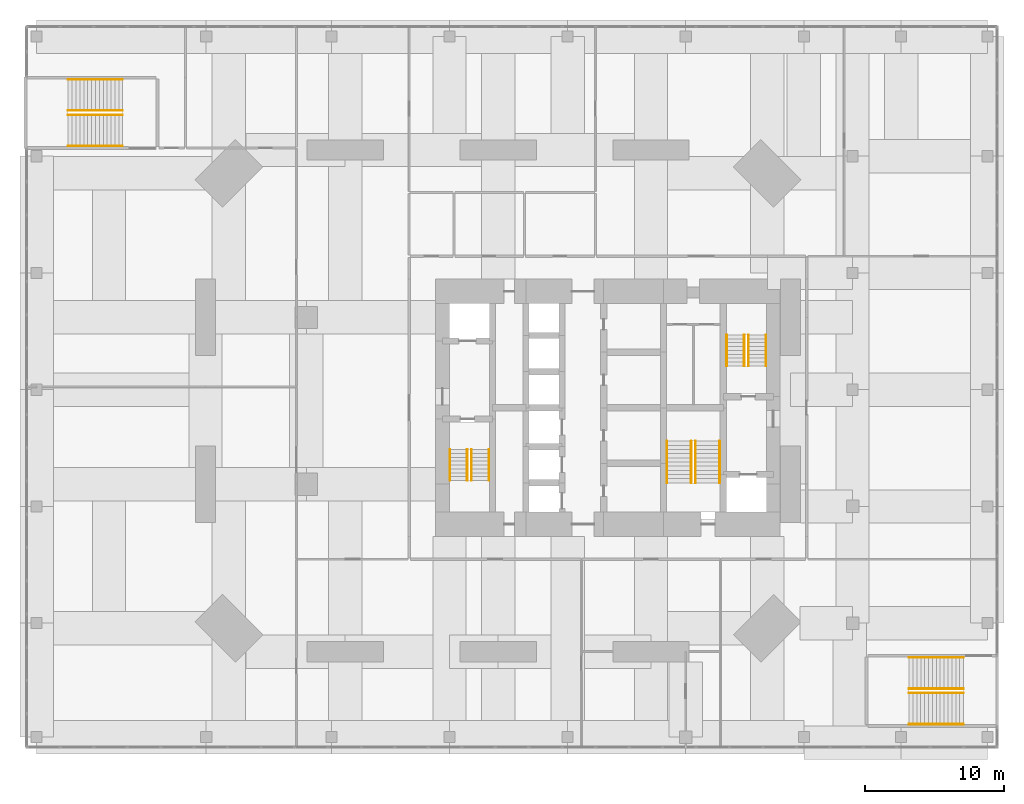
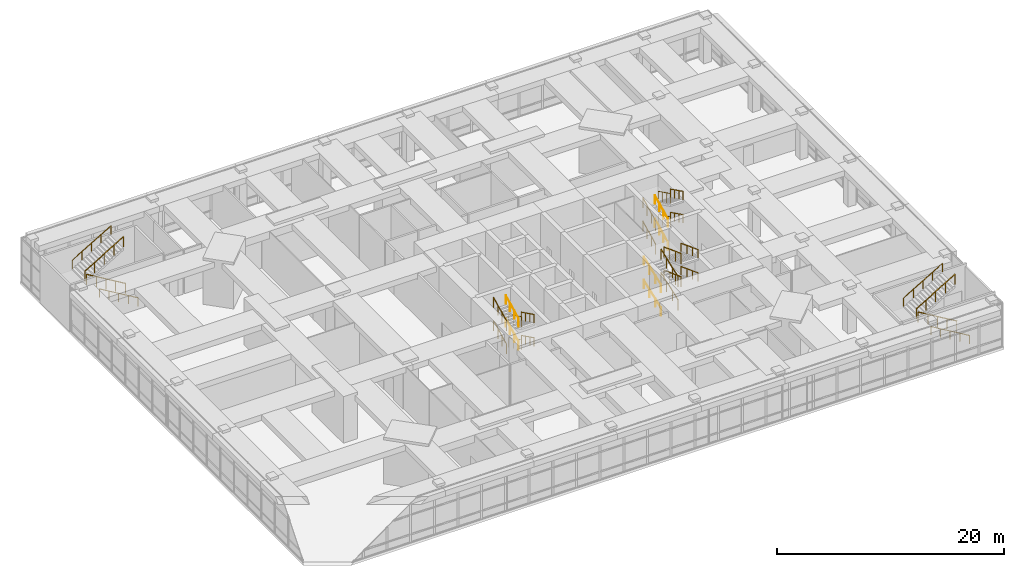
# One storey, part 22 of 22: 32 railings.
"""IFC4 building model written with IfcOpenShell, lengths in metres."""

from ifc_helpers import new_model, si_unit, direction, frame, origin, origin_2d, place, context, subcontext, project, spatial, rectangle, circle, extrude, material, constituent, constituent_set, type_object, element, save


model = new_model("IFC4")

# Units and contexts
model_context = context("Model", 3, precision=1e-05, world=origin(), true_north=direction((0.0, 1.0)))
body_context = subcontext(model_context, "Body", "Model", "MODEL_VIEW")
ifc_project = project(units=[si_unit("LENGTHUNIT", "METRE"), si_unit("AREAUNIT", "SQUARE_METRE"), si_unit("VOLUMEUNIT", "CUBIC_METRE"), si_unit("PLANEANGLEUNIT", "RADIAN"), si_unit("MASSUNIT", "GRAM", prefix="KILO")], contexts=[model_context])

# Site, building, storey
site_placement = place(None, origin())
site = spatial("IfcSite", under=ifc_project, at=site_placement, CompositionType="ELEMENT")
building_placement = place(site_placement, origin())
building = spatial("IfcBuilding", under=site, at=building_placement, Name="Jalousie Tower", CompositionType="ELEMENT")
storey_placement = place(building_placement, frame((0.0, 0.0, 6.0)))
storey = spatial("IfcBuildingStorey", under=building, at=storey_placement, Name="L01", CompositionType="ELEMENT", Elevation=6.0)

# Railings
ifc_material_1 = material(Name="Steel ASTM A500 Grade C", Category="steel")
ifc_constituent_1 = constituent(ifc_material_1, Name="Body")
ifc_material_2 = material(Name="Hot-dip galvanised zinc coating")
ifc_constituent_2 = constituent(ifc_material_2, Name="Finish")
ifc_constituent_set_1 = constituent_set(constituents=[ifc_constituent_1, ifc_constituent_2])
railing_type_1 = type_object("IfcRailingType", Name="STAIR GUARD 1100", PredefinedType="GUARDRAIL", material=ifc_constituent_set_1)
railing_1_placement = place(storey_placement, frame((22.092529296875, 15.49755859375, 0.138916015625)))
element("IfcRailing", 1, at=railing_1_placement, inside=storey, type_object=railing_type_1, Name="Exit stair A guard L01 flight 1", PredefinedType="GUARDRAIL", context=body_context, shape_type="SweptSolid", body=[
    extrude(rectangle(XDim=0.048095703125, YDim=0.048095703125, at=origin_2d()), frame((0.0, 0.0, 1.076171875), z_axis=(0.0, -0.895848192791, 0.444360231651), x_axis=(1.0, 0.0, 0.0)), (0.0, 0.0, 1.0), 2.50048828125),
    extrude(circle(Radius=0.02099609375, at=origin_2d()), origin(), (0.0, 0.0, 1.0), 1.052001953125),
    extrude(circle(Radius=0.02099609375, at=origin_2d()), frame((0.0, -0.74658203125, 0.370361328125)), (0.0, 0.0, 1.0), 1.052001953125),
    extrude(circle(Radius=0.02099609375, at=origin_2d()), frame((0.0, -1.493408203125, 0.74072265625)), (0.0, 0.0, 1.0), 1.052001953125),
    extrude(circle(Radius=0.02099609375, at=origin_2d()), frame((0.0, -2.239990234375, 1.111083984375)), (0.0, 0.0, 1.0), 1.052001953125),
])
railing_2_placement = place(storey_placement, frame((20.52978515625, 13.257568359375, 1.388916015625)))
element("IfcRailing", 2, at=railing_2_placement, inside=storey, type_object=railing_type_1, Name="Exit stair A guard L01 flight 2", PredefinedType="GUARDRAIL", context=body_context, shape_type="SweptSolid", body=[
    extrude(rectangle(XDim=0.048095703125, YDim=0.048095703125, at=origin_2d()), frame((0.0, 0.0, 1.076171875), z_axis=(0.0, 0.895848192791, 0.444360231651), x_axis=(-1.0, 0.0, 0.0)), (0.0, 0.0, 1.0), 2.50048828125),
    extrude(circle(Radius=0.02099609375, at=origin_2d()), origin(), (0.0, 0.0, 1.0), 1.052001953125),
    extrude(circle(Radius=0.02099609375, at=origin_2d()), frame((0.0, 0.74658203125, 0.370361328125)), (0.0, 0.0, 1.0), 1.052001953125),
    extrude(circle(Radius=0.02099609375, at=origin_2d()), frame((0.0, 1.493408203125, 0.74072265625)), (0.0, 0.0, 1.0), 1.052001953125),
    extrude(circle(Radius=0.02099609375, at=origin_2d()), frame((0.0, 2.239990234375, 1.111083984375)), (0.0, 0.0, 1.0), 1.052001953125),
])
railing_3_placement = place(storey_placement, frame((22.092529296875, 15.49755859375, 2.638916015625)))
element("IfcRailing", 3, at=railing_3_placement, inside=storey, type_object=railing_type_1, Name="Exit stair A guard L01 flight 3", PredefinedType="GUARDRAIL", context=body_context, shape_type="SweptSolid", body=[
    extrude(rectangle(XDim=0.048095703125, YDim=0.048095703125, at=origin_2d()), frame((0.0, 0.0, 1.076171875), z_axis=(0.0, -0.895848192791, 0.444360231651), x_axis=(1.0, 0.0, 0.0)), (0.0, 0.0, 1.0), 2.50048828125),
    extrude(circle(Radius=0.02099609375, at=origin_2d()), origin(), (0.0, 0.0, 1.0), 1.052001953125),
    extrude(circle(Radius=0.02099609375, at=origin_2d()), frame((0.0, -0.74658203125, 0.370361328125)), (0.0, 0.0, 1.0), 1.052001953125),
    extrude(circle(Radius=0.02099609375, at=origin_2d()), frame((0.0, -1.493408203125, 0.74072265625)), (0.0, 0.0, 1.0), 1.052001953125),
    extrude(circle(Radius=0.02099609375, at=origin_2d()), frame((0.0, -2.239990234375, 1.111083984375)), (0.0, 0.0, 1.0), 1.052001953125),
])
for number, where, name in (
    (4, (20.52978515625, 13.257568359375, 3.888916015625), "Exit stair A guard L01 flight 4"),
    (5, (40.455078125, 21.50244140625, 0.138916015625), "Exit stair B guard L01 flight 1"),
):
    element("IfcRailing", number, at=place(storey_placement, frame(where)), inside=storey, type_object=railing_type_1, Name=name, PredefinedType="GUARDRAIL", context=body_context, shape_type="SweptSolid", body=[
        extrude(rectangle(XDim=0.048095703125, YDim=0.048095703125, at=origin_2d()), frame((0.0, 0.0, 1.076171875), z_axis=(0.0, 0.895848192791, 0.444360231651), x_axis=(-1.0, 0.0, 0.0)), (0.0, 0.0, 1.0), 2.50048828125),
        extrude(circle(Radius=0.02099609375, at=origin_2d()), origin(), (0.0, 0.0, 1.0), 1.052001953125),
        extrude(circle(Radius=0.02099609375, at=origin_2d()), frame((0.0, 0.74658203125, 0.370361328125)), (0.0, 0.0, 1.0), 1.052001953125),
        extrude(circle(Radius=0.02099609375, at=origin_2d()), frame((0.0, 1.493408203125, 0.74072265625)), (0.0, 0.0, 1.0), 1.052001953125),
        extrude(circle(Radius=0.02099609375, at=origin_2d()), frame((0.0, 2.239990234375, 1.111083984375)), (0.0, 0.0, 1.0), 1.052001953125),
    ])
railing_4_placement = place(storey_placement, frame((42.017578125, 23.742431640625, 1.388916015625)))
element("IfcRailing", 6, at=railing_4_placement, inside=storey, type_object=railing_type_1, Name="Exit stair B guard L01 flight 2", PredefinedType="GUARDRAIL", context=body_context, shape_type="SweptSolid", body=[
    extrude(rectangle(XDim=0.048095703125, YDim=0.048095703125, at=origin_2d()), frame((0.0, 0.0, 1.076171875), z_axis=(0.0, -0.895848192791, 0.444360231651), x_axis=(1.0, 0.0, 0.0)), (0.0, 0.0, 1.0), 2.50048828125),
    extrude(circle(Radius=0.02099609375, at=origin_2d()), origin(), (0.0, 0.0, 1.0), 1.052001953125),
    extrude(circle(Radius=0.02099609375, at=origin_2d()), frame((0.0, -0.74658203125, 0.370361328125)), (0.0, 0.0, 1.0), 1.052001953125),
    extrude(circle(Radius=0.02099609375, at=origin_2d()), frame((0.0, -1.493408203125, 0.74072265625)), (0.0, 0.0, 1.0), 1.052001953125),
    extrude(circle(Radius=0.02099609375, at=origin_2d()), frame((0.0, -2.239990234375, 1.111083984375)), (0.0, 0.0, 1.0), 1.052001953125),
])
railing_5_placement = place(storey_placement, frame((40.455078125, 21.50244140625, 2.638916015625)))
element("IfcRailing", 7, at=railing_5_placement, inside=storey, type_object=railing_type_1, Name="Exit stair B guard L01 flight 3", PredefinedType="GUARDRAIL", context=body_context, shape_type="SweptSolid", body=[
    extrude(rectangle(XDim=0.048095703125, YDim=0.048095703125, at=origin_2d()), frame((0.0, 0.0, 1.076171875), z_axis=(0.0, 0.895848192791, 0.444360231651), x_axis=(-1.0, 0.0, 0.0)), (0.0, 0.0, 1.0), 2.50048828125),
    extrude(circle(Radius=0.02099609375, at=origin_2d()), origin(), (0.0, 0.0, 1.0), 1.052001953125),
    extrude(circle(Radius=0.02099609375, at=origin_2d()), frame((0.0, 0.74658203125, 0.370361328125)), (0.0, 0.0, 1.0), 1.052001953125),
    extrude(circle(Radius=0.02099609375, at=origin_2d()), frame((0.0, 1.493408203125, 0.74072265625)), (0.0, 0.0, 1.0), 1.052001953125),
    extrude(circle(Radius=0.02099609375, at=origin_2d()), frame((0.0, 2.239990234375, 1.111083984375)), (0.0, 0.0, 1.0), 1.052001953125),
])
railing_6_placement = place(storey_placement, frame((42.017578125, 23.742431640625, 3.888916015625)))
element("IfcRailing", 8, at=railing_6_placement, inside=storey, type_object=railing_type_1, Name="Exit stair B guard L01 flight 4", PredefinedType="GUARDRAIL", context=body_context, shape_type="SweptSolid", body=[
    extrude(rectangle(XDim=0.048095703125, YDim=0.048095703125, at=origin_2d()), frame((0.0, 0.0, 1.076171875), z_axis=(0.0, -0.895848192791, 0.444360231651), x_axis=(1.0, 0.0, 0.0)), (0.0, 0.0, 1.0), 2.50048828125),
    extrude(circle(Radius=0.02099609375, at=origin_2d()), origin(), (0.0, 0.0, 1.0), 1.052001953125),
    extrude(circle(Radius=0.02099609375, at=origin_2d()), frame((0.0, -0.74658203125, 0.370361328125)), (0.0, 0.0, 1.0), 1.052001953125),
    extrude(circle(Radius=0.02099609375, at=origin_2d()), frame((0.0, -1.493408203125, 0.74072265625)), (0.0, 0.0, 1.0), 1.052001953125),
    extrude(circle(Radius=0.02099609375, at=origin_2d()), frame((0.0, -2.239990234375, 1.111083984375)), (0.0, 0.0, 1.0), 1.052001953125),
])
railing_7_placement = place(storey_placement, frame((37.89501953125, 13.097412109375, 0.113525390625)))
element("IfcRailing", 9, at=railing_7_placement, inside=storey, type_object=railing_type_1, Name="Exit stair C guard L01 flight 1", PredefinedType="GUARDRAIL", context=body_context, shape_type="SweptSolid", body=[
    extrude(rectangle(XDim=0.048095703125, YDim=0.048095703125, at=origin_2d()), frame((0.0, 0.0, 1.076171875), z_axis=(0.0, 0.935147985876, 0.354257313985), x_axis=(-1.0, 0.0, 0.0)), (0.0, 0.0, 1.0), 3.2080078125),
    extrude(circle(Radius=0.02099609375, at=origin_2d()), origin(), (0.0, 0.0, 1.0), 1.052001953125),
    extrude(circle(Radius=0.02099609375, at=origin_2d()), frame((0.0, 1.0, 0.37890625)), (0.0, 0.0, 1.0), 1.052001953125),
    extrude(circle(Radius=0.02099609375, at=origin_2d()), frame((0.0, 2.0, 0.757568359375)), (0.0, 0.0, 1.0), 1.052001953125),
    extrude(circle(Radius=0.02099609375, at=origin_2d()), frame((0.0, 3.0, 1.136474609375)), (0.0, 0.0, 1.0), 1.052001953125),
])
railing_8_placement = place(storey_placement, frame((38.205078125, 16.097412109375, 1.363525390625)))
element("IfcRailing", 10, at=railing_8_placement, inside=storey, type_object=railing_type_1, Name="Exit stair C guard L01 flight 2", PredefinedType="GUARDRAIL", context=body_context, shape_type="SweptSolid", body=[
    extrude(rectangle(XDim=0.048095703125, YDim=0.048095703125, at=origin_2d()), frame((0.0, 0.0, 1.076171875), z_axis=(0.0, -0.935147985876, 0.354257313985), x_axis=(1.0, 0.0, 0.0)), (0.0, 0.0, 1.0), 3.2080078125),
    extrude(circle(Radius=0.02099609375, at=origin_2d()), origin(), (0.0, 0.0, 1.0), 1.052001953125),
    extrude(circle(Radius=0.02099609375, at=origin_2d()), frame((0.0, -1.0, 0.37890625)), (0.0, 0.0, 1.0), 1.052001953125),
    extrude(circle(Radius=0.02099609375, at=origin_2d()), frame((0.0, -2.0, 0.757568359375)), (0.0, 0.0, 1.0), 1.052001953125),
    extrude(circle(Radius=0.02099609375, at=origin_2d()), frame((0.0, -3.0, 1.136474609375)), (0.0, 0.0, 1.0), 1.052001953125),
])
railing_9_placement = place(storey_placement, frame((37.89501953125, 13.097412109375, 2.613525390625)))
element("IfcRailing", 11, at=railing_9_placement, inside=storey, type_object=railing_type_1, Name="Exit stair C guard L01 flight 3", PredefinedType="GUARDRAIL", context=body_context, shape_type="SweptSolid", body=[
    extrude(rectangle(XDim=0.048095703125, YDim=0.048095703125, at=origin_2d()), frame((0.0, 0.0, 1.076171875), z_axis=(0.0, 0.935147985876, 0.354257313985), x_axis=(-1.0, 0.0, 0.0)), (0.0, 0.0, 1.0), 3.2080078125),
    extrude(circle(Radius=0.02099609375, at=origin_2d()), origin(), (0.0, 0.0, 1.0), 1.052001953125),
    extrude(circle(Radius=0.02099609375, at=origin_2d()), frame((0.0, 1.0, 0.37890625)), (0.0, 0.0, 1.0), 1.052001953125),
    extrude(circle(Radius=0.02099609375, at=origin_2d()), frame((0.0, 2.0, 0.757568359375)), (0.0, 0.0, 1.0), 1.052001953125),
    extrude(circle(Radius=0.02099609375, at=origin_2d()), frame((0.0, 3.0, 1.136474609375)), (0.0, 0.0, 1.0), 1.052001953125),
])
railing_10_placement = place(storey_placement, frame((38.205078125, 16.097412109375, 3.863525390625)))
element("IfcRailing", 12, at=railing_10_placement, inside=storey, type_object=railing_type_1, Name="Exit stair C guard L01 flight 4", PredefinedType="GUARDRAIL", context=body_context, shape_type="SweptSolid", body=[
    extrude(rectangle(XDim=0.048095703125, YDim=0.048095703125, at=origin_2d()), frame((0.0, 0.0, 1.076171875), z_axis=(0.0, -0.935147985876, 0.354257313985), x_axis=(1.0, 0.0, 0.0)), (0.0, 0.0, 1.0), 3.2080078125),
    extrude(circle(Radius=0.02099609375, at=origin_2d()), origin(), (0.0, 0.0, 1.0), 1.052001953125),
    extrude(circle(Radius=0.02099609375, at=origin_2d()), frame((0.0, -1.0, 0.37890625)), (0.0, 0.0, 1.0), 1.052001953125),
    extrude(circle(Radius=0.02099609375, at=origin_2d()), frame((0.0, -2.0, 0.757568359375)), (0.0, 0.0, 1.0), 1.052001953125),
    extrude(circle(Radius=0.02099609375, at=origin_2d()), frame((0.0, -3.0, 1.136474609375)), (0.0, 0.0, 1.0), 1.052001953125),
])
railing_11_placement = place(storey_placement, frame((-3.010009765625, 39.570068359375, 0.166748046875)))
element("IfcRailing", 13, at=railing_11_placement, inside=storey, type_object=railing_type_1, Name="Exit stair PS1 guard L01 flight 1", PredefinedType="GUARDRAIL", context=body_context, shape_type="SweptSolid", body=[
    extrude(rectangle(XDim=0.048095703125, YDim=0.048095703125, at=origin_2d()), frame((0.0, 0.0, 1.076171875), z_axis=(-0.859296244711, 0.0, 0.511478214419), x_axis=(0.0, -1.0, 0.0)), (0.0, 0.0, 1.0), 4.561767578125),
    extrude(circle(Radius=0.02099609375, at=origin_2d()), origin(), (0.0, 0.0, 1.0), 1.052001953125),
    extrude(circle(Radius=0.02099609375, at=origin_2d()), frame((-0.97998046875, 0.0, 0.583251953125)), (0.0, 0.0, 1.0), 1.052001953125),
    extrude(circle(Radius=0.02099609375, at=origin_2d()), frame((-1.9599609375, 0.0, 1.16650390625)), (0.0, 0.0, 1.0), 1.052001953125),
    extrude(circle(Radius=0.02099609375, at=origin_2d()), frame((-2.93994140625, 0.0, 1.75)), (0.0, 0.0, 1.0), 1.052001953125),
    extrude(circle(Radius=0.02099609375, at=origin_2d()), frame((-3.919921875, 0.0, 2.333251953125)), (0.0, 0.0, 1.0), 1.052001953125),
])
railing_12_placement = place(storey_placement, frame((-6.929931640625, 39.8798828125, 2.666748046875)))
element("IfcRailing", 14, at=railing_12_placement, inside=storey, type_object=railing_type_1, Name="Exit stair PS1 guard L01 flight 2", PredefinedType="GUARDRAIL", context=body_context, shape_type="SweptSolid", body=[
    extrude(rectangle(XDim=0.048095703125, YDim=0.048095703125, at=origin_2d()), frame((0.0, 0.0, 1.076171875), z_axis=(0.859296244711, 0.0, 0.511478214419), x_axis=(0.0, 1.0, 0.0)), (0.0, 0.0, 1.0), 4.561767578125),
    extrude(circle(Radius=0.02099609375, at=origin_2d()), origin(), (0.0, 0.0, 1.0), 1.052001953125),
    extrude(circle(Radius=0.02099609375, at=origin_2d()), frame((0.97998046875, 0.0, 0.583251953125)), (0.0, 0.0, 1.0), 1.052001953125),
    extrude(circle(Radius=0.02099609375, at=origin_2d()), frame((1.9599609375, 0.0, 1.16650390625)), (0.0, 0.0, 1.0), 1.052001953125),
    extrude(circle(Radius=0.02099609375, at=origin_2d()), frame((2.93994140625, 0.0, 1.75)), (0.0, 0.0, 1.0), 1.052001953125),
    extrude(circle(Radius=0.02099609375, at=origin_2d()), frame((3.919921875, 0.0, 2.333251953125)), (0.0, 0.0, 1.0), 1.052001953125),
])
railing_13_placement = place(storey_placement, frame((57.489990234375, -2.030029296875, 0.166748046875)))
element("IfcRailing", 15, at=railing_13_placement, inside=storey, type_object=railing_type_1, Name="Exit stair PS2 guard L01 flight 1", PredefinedType="GUARDRAIL", context=body_context, shape_type="SweptSolid", body=[
    extrude(rectangle(XDim=0.048095703125, YDim=0.048095703125, at=origin_2d()), frame((0.0, 0.0, 1.076171875), z_axis=(-0.859296244711, 0.0, 0.511478214419), x_axis=(0.0, -1.0, 0.0)), (0.0, 0.0, 1.0), 4.561767578125),
    extrude(circle(Radius=0.02099609375, at=origin_2d()), origin(), (0.0, 0.0, 1.0), 1.052001953125),
    extrude(circle(Radius=0.02099609375, at=origin_2d()), frame((-0.97998046875, 0.0, 0.583251953125)), (0.0, 0.0, 1.0), 1.052001953125),
    extrude(circle(Radius=0.02099609375, at=origin_2d()), frame((-1.9599609375, 0.0, 1.16650390625)), (0.0, 0.0, 1.0), 1.052001953125),
    extrude(circle(Radius=0.02099609375, at=origin_2d()), frame((-2.93994140625, 0.0, 1.75)), (0.0, 0.0, 1.0), 1.052001953125),
    extrude(circle(Radius=0.02099609375, at=origin_2d()), frame((-3.919921875, 0.0, 2.333251953125)), (0.0, 0.0, 1.0), 1.052001953125),
])
railing_14_placement = place(storey_placement, frame((53.570068359375, -1.719970703125, 2.666748046875)))
element("IfcRailing", 16, at=railing_14_placement, inside=storey, type_object=railing_type_1, Name="Exit stair PS2 guard L01 flight 2", PredefinedType="GUARDRAIL", context=body_context, shape_type="SweptSolid", body=[
    extrude(rectangle(XDim=0.048095703125, YDim=0.048095703125, at=origin_2d()), frame((0.0, 0.0, 1.076171875), z_axis=(0.859296244711, 0.0, 0.511478214419), x_axis=(0.0, 1.0, 0.0)), (0.0, 0.0, 1.0), 4.561767578125),
    extrude(circle(Radius=0.02099609375, at=origin_2d()), origin(), (0.0, 0.0, 1.0), 1.052001953125),
    extrude(circle(Radius=0.02099609375, at=origin_2d()), frame((0.97998046875, 0.0, 0.583251953125)), (0.0, 0.0, 1.0), 1.052001953125),
    extrude(circle(Radius=0.02099609375, at=origin_2d()), frame((1.9599609375, 0.0, 1.16650390625)), (0.0, 0.0, 1.0), 1.052001953125),
    extrude(circle(Radius=0.02099609375, at=origin_2d()), frame((2.93994140625, 0.0, 1.75)), (0.0, 0.0, 1.0), 1.052001953125),
    extrude(circle(Radius=0.02099609375, at=origin_2d()), frame((3.919921875, 0.0, 2.333251953125)), (0.0, 0.0, 1.0), 1.052001953125),
])
ifc_material_3 = material(Name="Steel ASTM A500 Grade C", Category="steel")
ifc_constituent_3 = constituent(ifc_material_3, Name="Body")
ifc_material_4 = material(Name="Hot-dip galvanised zinc coating")
ifc_constituent_4 = constituent(ifc_material_4, Name="Finish")
ifc_constituent_set_2 = constituent_set(constituents=[ifc_constituent_3, ifc_constituent_4])
railing_type_2 = type_object("IfcRailingType", Name="STAIR HANDRAIL 900", PredefinedType="HANDRAIL", material=ifc_constituent_set_2)
railing_15_placement = place(storey_placement, frame((23.34521484375, 15.49755859375, 0.138916015625)))
element("IfcRailing", 17, at=railing_15_placement, inside=storey, type_object=railing_type_2, Name="Exit stair A handrail L01 flight 1", PredefinedType="HANDRAIL", context=body_context, shape_type="SweptSolid", body=[
    extrude(circle(Radius=0.02392578125, at=origin_2d()), frame((0.0, 0.0, 0.8759765625), z_axis=(0.0, -0.895848192791, 0.444360231651), x_axis=(1.0, 0.0, 0.0)), (0.0, 0.0, 1.0), 2.50048828125),
    extrude(circle(Radius=0.02099609375, at=origin_2d()), origin(), (0.0, 0.0, 1.0), 0.851806640625),
    extrude(circle(Radius=0.02099609375, at=origin_2d()), frame((0.0, -0.74658203125, 0.370361328125)), (0.0, 0.0, 1.0), 0.851806640625),
    extrude(circle(Radius=0.02099609375, at=origin_2d()), frame((0.0, -1.493408203125, 0.74072265625)), (0.0, 0.0, 1.0), 0.851806640625),
    extrude(circle(Radius=0.02099609375, at=origin_2d()), frame((0.0, -2.239990234375, 1.111083984375)), (0.0, 0.0, 1.0), 0.851806640625),
])
railing_16_placement = place(storey_placement, frame((21.782470703125, 13.257568359375, 1.388916015625)))
element("IfcRailing", 18, at=railing_16_placement, inside=storey, type_object=railing_type_2, Name="Exit stair A handrail L01 flight 2", PredefinedType="HANDRAIL", context=body_context, shape_type="SweptSolid", body=[
    extrude(circle(Radius=0.02392578125, at=origin_2d()), frame((0.0, 0.0, 0.8759765625), z_axis=(0.0, 0.895848192791, 0.444360231651), x_axis=(-1.0, 0.0, 0.0)), (0.0, 0.0, 1.0), 2.50048828125),
    extrude(circle(Radius=0.02099609375, at=origin_2d()), origin(), (0.0, 0.0, 1.0), 0.851806640625),
    extrude(circle(Radius=0.02099609375, at=origin_2d()), frame((0.0, 0.74658203125, 0.370361328125)), (0.0, 0.0, 1.0), 0.851806640625),
    extrude(circle(Radius=0.02099609375, at=origin_2d()), frame((0.0, 1.493408203125, 0.74072265625)), (0.0, 0.0, 1.0), 0.851806640625),
    extrude(circle(Radius=0.02099609375, at=origin_2d()), frame((0.0, 2.239990234375, 1.111083984375)), (0.0, 0.0, 1.0), 0.851806640625),
])
railing_17_placement = place(storey_placement, frame((23.34521484375, 15.49755859375, 2.638916015625)))
element("IfcRailing", 19, at=railing_17_placement, inside=storey, type_object=railing_type_2, Name="Exit stair A handrail L01 flight 3", PredefinedType="HANDRAIL", context=body_context, shape_type="SweptSolid", body=[
    extrude(circle(Radius=0.02392578125, at=origin_2d()), frame((0.0, 0.0, 0.8759765625), z_axis=(0.0, -0.895848192791, 0.444360231651), x_axis=(1.0, 0.0, 0.0)), (0.0, 0.0, 1.0), 2.50048828125),
    extrude(circle(Radius=0.02099609375, at=origin_2d()), origin(), (0.0, 0.0, 1.0), 0.851806640625),
    extrude(circle(Radius=0.02099609375, at=origin_2d()), frame((0.0, -0.74658203125, 0.370361328125)), (0.0, 0.0, 1.0), 0.851806640625),
    extrude(circle(Radius=0.02099609375, at=origin_2d()), frame((0.0, -1.493408203125, 0.74072265625)), (0.0, 0.0, 1.0), 0.851806640625),
    extrude(circle(Radius=0.02099609375, at=origin_2d()), frame((0.0, -2.239990234375, 1.111083984375)), (0.0, 0.0, 1.0), 0.851806640625),
])
for number, where, name in (
    (20, (21.782470703125, 13.257568359375, 3.888916015625), "Exit stair A handrail L01 flight 4"),
    (21, (41.70751953125, 21.50244140625, 0.138916015625), "Exit stair B handrail L01 flight 1"),
):
    element("IfcRailing", number, at=place(storey_placement, frame(where)), inside=storey, type_object=railing_type_2, Name=name, PredefinedType="HANDRAIL", context=body_context, shape_type="SweptSolid", body=[
        extrude(circle(Radius=0.02392578125, at=origin_2d()), frame((0.0, 0.0, 0.8759765625), z_axis=(0.0, 0.895848192791, 0.444360231651), x_axis=(-1.0, 0.0, 0.0)), (0.0, 0.0, 1.0), 2.50048828125),
        extrude(circle(Radius=0.02099609375, at=origin_2d()), origin(), (0.0, 0.0, 1.0), 0.851806640625),
        extrude(circle(Radius=0.02099609375, at=origin_2d()), frame((0.0, 0.74658203125, 0.370361328125)), (0.0, 0.0, 1.0), 0.851806640625),
        extrude(circle(Radius=0.02099609375, at=origin_2d()), frame((0.0, 1.493408203125, 0.74072265625)), (0.0, 0.0, 1.0), 0.851806640625),
        extrude(circle(Radius=0.02099609375, at=origin_2d()), frame((0.0, 2.239990234375, 1.111083984375)), (0.0, 0.0, 1.0), 0.851806640625),
    ])
railing_18_placement = place(storey_placement, frame((43.27001953125, 23.742431640625, 1.388916015625)))
element("IfcRailing", 22, at=railing_18_placement, inside=storey, type_object=railing_type_2, Name="Exit stair B handrail L01 flight 2", PredefinedType="HANDRAIL", context=body_context, shape_type="SweptSolid", body=[
    extrude(circle(Radius=0.02392578125, at=origin_2d()), frame((0.0, 0.0, 0.8759765625), z_axis=(0.0, -0.895848192791, 0.444360231651), x_axis=(1.0, 0.0, 0.0)), (0.0, 0.0, 1.0), 2.50048828125),
    extrude(circle(Radius=0.02099609375, at=origin_2d()), origin(), (0.0, 0.0, 1.0), 0.851806640625),
    extrude(circle(Radius=0.02099609375, at=origin_2d()), frame((0.0, -0.74658203125, 0.370361328125)), (0.0, 0.0, 1.0), 0.851806640625),
    extrude(circle(Radius=0.02099609375, at=origin_2d()), frame((0.0, -1.493408203125, 0.74072265625)), (0.0, 0.0, 1.0), 0.851806640625),
    extrude(circle(Radius=0.02099609375, at=origin_2d()), frame((0.0, -2.239990234375, 1.111083984375)), (0.0, 0.0, 1.0), 0.851806640625),
])
railing_19_placement = place(storey_placement, frame((41.70751953125, 21.50244140625, 2.638916015625)))
element("IfcRailing", 23, at=railing_19_placement, inside=storey, type_object=railing_type_2, Name="Exit stair B handrail L01 flight 3", PredefinedType="HANDRAIL", context=body_context, shape_type="SweptSolid", body=[
    extrude(circle(Radius=0.02392578125, at=origin_2d()), frame((0.0, 0.0, 0.8759765625), z_axis=(0.0, 0.895848192791, 0.444360231651), x_axis=(-1.0, 0.0, 0.0)), (0.0, 0.0, 1.0), 2.50048828125),
    extrude(circle(Radius=0.02099609375, at=origin_2d()), origin(), (0.0, 0.0, 1.0), 0.851806640625),
    extrude(circle(Radius=0.02099609375, at=origin_2d()), frame((0.0, 0.74658203125, 0.370361328125)), (0.0, 0.0, 1.0), 0.851806640625),
    extrude(circle(Radius=0.02099609375, at=origin_2d()), frame((0.0, 1.493408203125, 0.74072265625)), (0.0, 0.0, 1.0), 0.851806640625),
    extrude(circle(Radius=0.02099609375, at=origin_2d()), frame((0.0, 2.239990234375, 1.111083984375)), (0.0, 0.0, 1.0), 0.851806640625),
])
railing_20_placement = place(storey_placement, frame((43.27001953125, 23.742431640625, 3.888916015625)))
element("IfcRailing", 24, at=railing_20_placement, inside=storey, type_object=railing_type_2, Name="Exit stair B handrail L01 flight 4", PredefinedType="HANDRAIL", context=body_context, shape_type="SweptSolid", body=[
    extrude(circle(Radius=0.02392578125, at=origin_2d()), frame((0.0, 0.0, 0.8759765625), z_axis=(0.0, -0.895848192791, 0.444360231651), x_axis=(1.0, 0.0, 0.0)), (0.0, 0.0, 1.0), 2.50048828125),
    extrude(circle(Radius=0.02099609375, at=origin_2d()), origin(), (0.0, 0.0, 1.0), 0.851806640625),
    extrude(circle(Radius=0.02099609375, at=origin_2d()), frame((0.0, -0.74658203125, 0.370361328125)), (0.0, 0.0, 1.0), 0.851806640625),
    extrude(circle(Radius=0.02099609375, at=origin_2d()), frame((0.0, -1.493408203125, 0.74072265625)), (0.0, 0.0, 1.0), 0.851806640625),
    extrude(circle(Radius=0.02099609375, at=origin_2d()), frame((0.0, -2.239990234375, 1.111083984375)), (0.0, 0.0, 1.0), 0.851806640625),
])
railing_21_placement = place(storey_placement, frame((36.155029296875, 13.097412109375, 0.113525390625)))
element("IfcRailing", 25, at=railing_21_placement, inside=storey, type_object=railing_type_2, Name="Exit stair C handrail L01 flight 1", PredefinedType="HANDRAIL", context=body_context, shape_type="SweptSolid", body=[
    extrude(circle(Radius=0.02392578125, at=origin_2d()), frame((0.0, 0.0, 0.8759765625), z_axis=(0.0, 0.935147985876, 0.354257313985), x_axis=(-1.0, 0.0, 0.0)), (0.0, 0.0, 1.0), 3.2080078125),
    extrude(circle(Radius=0.02099609375, at=origin_2d()), origin(), (0.0, 0.0, 1.0), 0.851806640625),
    extrude(circle(Radius=0.02099609375, at=origin_2d()), frame((0.0, 1.0, 0.37890625)), (0.0, 0.0, 1.0), 0.851806640625),
    extrude(circle(Radius=0.02099609375, at=origin_2d()), frame((0.0, 2.0, 0.757568359375)), (0.0, 0.0, 1.0), 0.851806640625),
    extrude(circle(Radius=0.02099609375, at=origin_2d()), frame((0.0, 3.0, 1.136474609375)), (0.0, 0.0, 1.0), 0.851806640625),
])
railing_22_placement = place(storey_placement, frame((39.945068359375, 16.097412109375, 1.363525390625)))
element("IfcRailing", 26, at=railing_22_placement, inside=storey, type_object=railing_type_2, Name="Exit stair C handrail L01 flight 2", PredefinedType="HANDRAIL", context=body_context, shape_type="SweptSolid", body=[
    extrude(circle(Radius=0.02392578125, at=origin_2d()), frame((0.0, 0.0, 0.8759765625), z_axis=(0.0, -0.935147985876, 0.354257313985), x_axis=(1.0, 0.0, 0.0)), (0.0, 0.0, 1.0), 3.2080078125),
    extrude(circle(Radius=0.02099609375, at=origin_2d()), origin(), (0.0, 0.0, 1.0), 0.851806640625),
    extrude(circle(Radius=0.02099609375, at=origin_2d()), frame((0.0, -1.0, 0.37890625)), (0.0, 0.0, 1.0), 0.851806640625),
    extrude(circle(Radius=0.02099609375, at=origin_2d()), frame((0.0, -2.0, 0.757568359375)), (0.0, 0.0, 1.0), 0.851806640625),
    extrude(circle(Radius=0.02099609375, at=origin_2d()), frame((0.0, -3.0, 1.136474609375)), (0.0, 0.0, 1.0), 0.851806640625),
])
railing_23_placement = place(storey_placement, frame((36.155029296875, 13.097412109375, 2.613525390625)))
element("IfcRailing", 27, at=railing_23_placement, inside=storey, type_object=railing_type_2, Name="Exit stair C handrail L01 flight 3", PredefinedType="HANDRAIL", context=body_context, shape_type="SweptSolid", body=[
    extrude(circle(Radius=0.02392578125, at=origin_2d()), frame((0.0, 0.0, 0.8759765625), z_axis=(0.0, 0.935147985876, 0.354257313985), x_axis=(-1.0, 0.0, 0.0)), (0.0, 0.0, 1.0), 3.2080078125),
    extrude(circle(Radius=0.02099609375, at=origin_2d()), origin(), (0.0, 0.0, 1.0), 0.851806640625),
    extrude(circle(Radius=0.02099609375, at=origin_2d()), frame((0.0, 1.0, 0.37890625)), (0.0, 0.0, 1.0), 0.851806640625),
    extrude(circle(Radius=0.02099609375, at=origin_2d()), frame((0.0, 2.0, 0.757568359375)), (0.0, 0.0, 1.0), 0.851806640625),
    extrude(circle(Radius=0.02099609375, at=origin_2d()), frame((0.0, 3.0, 1.136474609375)), (0.0, 0.0, 1.0), 0.851806640625),
])
railing_24_placement = place(storey_placement, frame((39.945068359375, 16.097412109375, 3.863525390625)))
element("IfcRailing", 28, at=railing_24_placement, inside=storey, type_object=railing_type_2, Name="Exit stair C handrail L01 flight 4", PredefinedType="HANDRAIL", context=body_context, shape_type="SweptSolid", body=[
    extrude(circle(Radius=0.02392578125, at=origin_2d()), frame((0.0, 0.0, 0.8759765625), z_axis=(0.0, -0.935147985876, 0.354257313985), x_axis=(1.0, 0.0, 0.0)), (0.0, 0.0, 1.0), 3.2080078125),
    extrude(circle(Radius=0.02099609375, at=origin_2d()), origin(), (0.0, 0.0, 1.0), 0.851806640625),
    extrude(circle(Radius=0.02099609375, at=origin_2d()), frame((0.0, -1.0, 0.37890625)), (0.0, 0.0, 1.0), 0.851806640625),
    extrude(circle(Radius=0.02099609375, at=origin_2d()), frame((0.0, -2.0, 0.757568359375)), (0.0, 0.0, 1.0), 0.851806640625),
    extrude(circle(Radius=0.02099609375, at=origin_2d()), frame((0.0, -3.0, 1.136474609375)), (0.0, 0.0, 1.0), 0.851806640625),
])
railing_25_placement = place(storey_placement, frame((-3.010009765625, 37.330078125, 0.166748046875)))
element("IfcRailing", 29, at=railing_25_placement, inside=storey, type_object=railing_type_2, Name="Exit stair PS1 handrail L01 flight 1", PredefinedType="HANDRAIL", context=body_context, shape_type="SweptSolid", body=[
    extrude(circle(Radius=0.02392578125, at=origin_2d()), frame((0.0, 0.0, 0.8759765625), z_axis=(-0.859296244711, 0.0, 0.511478214419), x_axis=(0.0, -1.0, 0.0)), (0.0, 0.0, 1.0), 4.561767578125),
    extrude(circle(Radius=0.02099609375, at=origin_2d()), origin(), (0.0, 0.0, 1.0), 0.851806640625),
    extrude(circle(Radius=0.02099609375, at=origin_2d()), frame((-0.97998046875, 0.0, 0.583251953125)), (0.0, 0.0, 1.0), 0.851806640625),
    extrude(circle(Radius=0.02099609375, at=origin_2d()), frame((-1.9599609375, 0.0, 1.16650390625)), (0.0, 0.0, 1.0), 0.851806640625),
    extrude(circle(Radius=0.02099609375, at=origin_2d()), frame((-2.93994140625, 0.0, 1.75)), (0.0, 0.0, 1.0), 0.851806640625),
    extrude(circle(Radius=0.02099609375, at=origin_2d()), frame((-3.919921875, 0.0, 2.333251953125)), (0.0, 0.0, 1.0), 0.851806640625),
])
railing_26_placement = place(storey_placement, frame((-6.929931640625, 42.1201171875, 2.666748046875)))
element("IfcRailing", 30, at=railing_26_placement, inside=storey, type_object=railing_type_2, Name="Exit stair PS1 handrail L01 flight 2", PredefinedType="HANDRAIL", context=body_context, shape_type="SweptSolid", body=[
    extrude(circle(Radius=0.02392578125, at=origin_2d()), frame((0.0, 0.0, 0.8759765625), z_axis=(0.859296244711, 0.0, 0.511478214419), x_axis=(0.0, 1.0, 0.0)), (0.0, 0.0, 1.0), 4.561767578125),
    extrude(circle(Radius=0.02099609375, at=origin_2d()), origin(), (0.0, 0.0, 1.0), 0.851806640625),
    extrude(circle(Radius=0.02099609375, at=origin_2d()), frame((0.97998046875, 0.0, 0.583251953125)), (0.0, 0.0, 1.0), 0.851806640625),
    extrude(circle(Radius=0.02099609375, at=origin_2d()), frame((1.9599609375, 0.0, 1.16650390625)), (0.0, 0.0, 1.0), 0.851806640625),
    extrude(circle(Radius=0.02099609375, at=origin_2d()), frame((2.93994140625, 0.0, 1.75)), (0.0, 0.0, 1.0), 0.851806640625),
    extrude(circle(Radius=0.02099609375, at=origin_2d()), frame((3.919921875, 0.0, 2.333251953125)), (0.0, 0.0, 1.0), 0.851806640625),
])
railing_27_placement = place(storey_placement, frame((57.489990234375, -4.27001953125, 0.166748046875)))
element("IfcRailing", 31, at=railing_27_placement, inside=storey, type_object=railing_type_2, Name="Exit stair PS2 handrail L01 flight 1", PredefinedType="HANDRAIL", context=body_context, shape_type="SweptSolid", body=[
    extrude(circle(Radius=0.02392578125, at=origin_2d()), frame((0.0, 0.0, 0.8759765625), z_axis=(-0.859296244711, 0.0, 0.511478214419), x_axis=(0.0, -1.0, 0.0)), (0.0, 0.0, 1.0), 4.561767578125),
    extrude(circle(Radius=0.02099609375, at=origin_2d()), origin(), (0.0, 0.0, 1.0), 0.851806640625),
    extrude(circle(Radius=0.02099609375, at=origin_2d()), frame((-0.97998046875, 0.0, 0.583251953125)), (0.0, 0.0, 1.0), 0.851806640625),
    extrude(circle(Radius=0.02099609375, at=origin_2d()), frame((-1.9599609375, 0.0, 1.16650390625)), (0.0, 0.0, 1.0), 0.851806640625),
    extrude(circle(Radius=0.02099609375, at=origin_2d()), frame((-2.93994140625, 0.0, 1.75)), (0.0, 0.0, 1.0), 0.851806640625),
    extrude(circle(Radius=0.02099609375, at=origin_2d()), frame((-3.919921875, 0.0, 2.333251953125)), (0.0, 0.0, 1.0), 0.851806640625),
])
railing_28_placement = place(storey_placement, frame((53.570068359375, 0.52001953125, 2.666748046875)))
element("IfcRailing", 32, at=railing_28_placement, inside=storey, type_object=railing_type_2, Name="Exit stair PS2 handrail L01 flight 2", PredefinedType="HANDRAIL", context=body_context, shape_type="SweptSolid", body=[
    extrude(circle(Radius=0.02392578125, at=origin_2d()), frame((0.0, 0.0, 0.8759765625), z_axis=(0.859296244711, 0.0, 0.511478214419), x_axis=(0.0, 1.0, 0.0)), (0.0, 0.0, 1.0), 4.561767578125),
    extrude(circle(Radius=0.02099609375, at=origin_2d()), origin(), (0.0, 0.0, 1.0), 0.851806640625),
    extrude(circle(Radius=0.02099609375, at=origin_2d()), frame((0.97998046875, 0.0, 0.583251953125)), (0.0, 0.0, 1.0), 0.851806640625),
    extrude(circle(Radius=0.02099609375, at=origin_2d()), frame((1.9599609375, 0.0, 1.16650390625)), (0.0, 0.0, 1.0), 0.851806640625),
    extrude(circle(Radius=0.02099609375, at=origin_2d()), frame((2.93994140625, 0.0, 1.75)), (0.0, 0.0, 1.0), 0.851806640625),
    extrude(circle(Radius=0.02099609375, at=origin_2d()), frame((3.919921875, 0.0, 2.333251953125)), (0.0, 0.0, 1.0), 0.851806640625),
])

save(model, "model.ifc")
